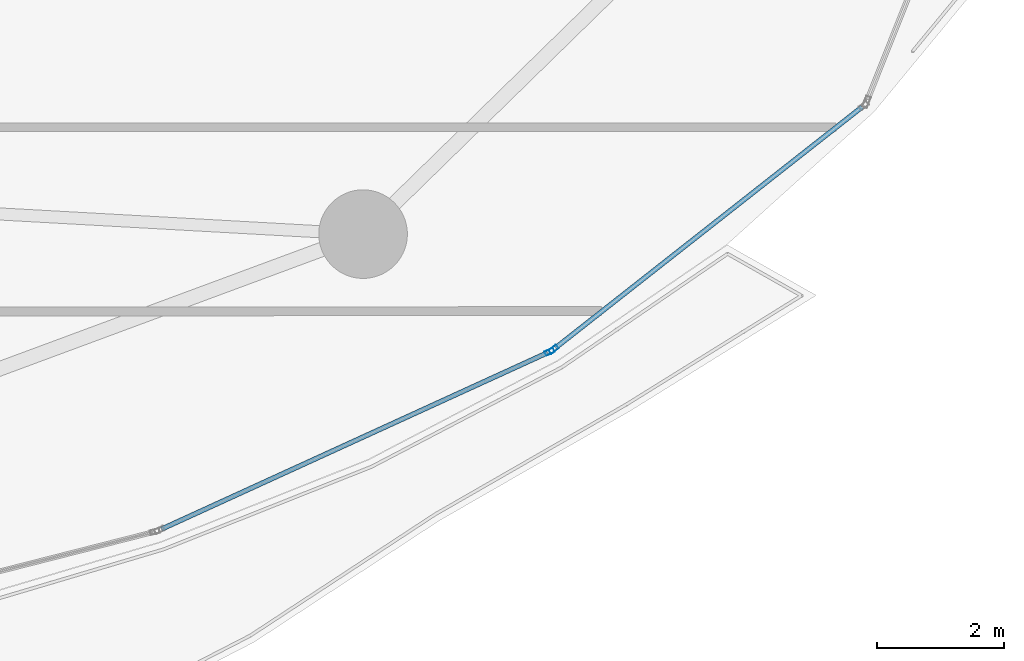
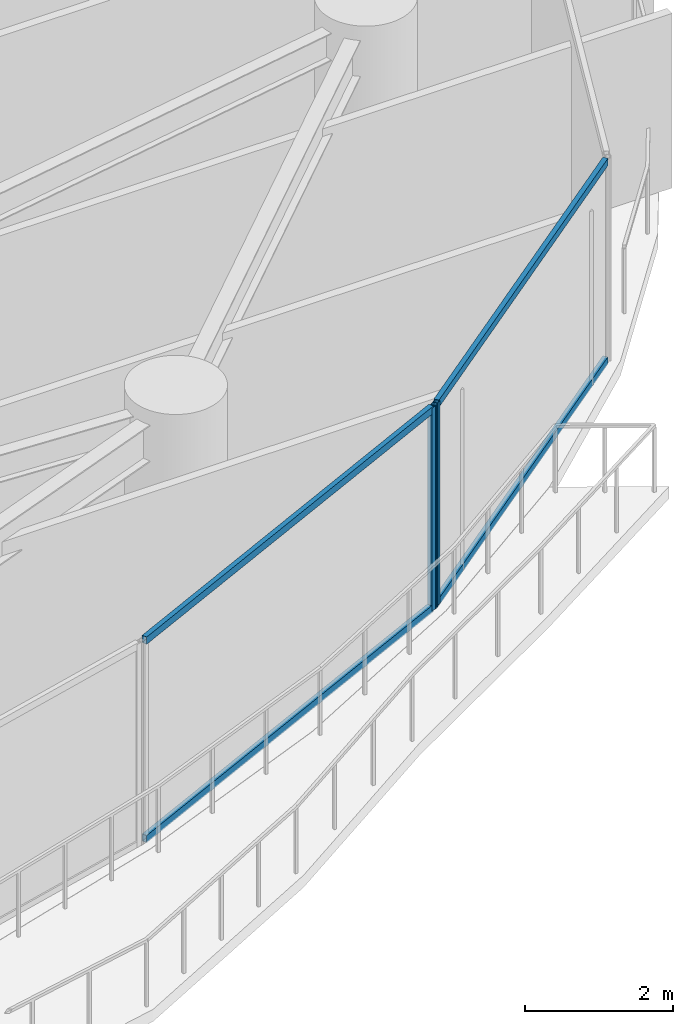
# One storey, part 14 of 32: 6 members, 2 elements without a shape of their own.
"""IFC4 building model written with IfcOpenShell, lengths in metres."""

import ifcopenshell
import ifcopenshell.guid

model = None  # the IFC model being written
_history = None  # IfcOwnerHistory: only IFC2X3 demands one
_inside = {}  # id of a spatial element -> (the spatial element, [elements in it])
_under = {}  # id of a project, library or spatial element -> (it, [spatial elements below it])
_declared = {}  # id of a project -> (the project, [libraries it declares])
_typed = {}  # id of a type object -> (the type object, [elements of that type])
_made_of = {}  # id of a material, layer set ... -> (it, [elements and type objects made of it])


def new_model(schema):
    """Start an empty IFC model of exactly this schema.

    Asked for "IFC4X3", IfcOpenShell would pick the latest addendum, in which some entities
    have other attributes; the version numbers below select the first issue.
    IFC2X3 requires an IfcOwnerHistory on every rooted entity: one is made here for all.
    """
    global model, _history
    if schema == "IFC4X3":
        model = ifcopenshell.file(schema_version=(4, 3, 0, 0))
    else:
        model = ifcopenshell.file(schema=schema)
    _inside.clear()
    _under.clear()
    _declared.clear()
    _typed.clear()
    _made_of.clear()
    _history = None
    if model.schema == "IFC2X3":
        org = make("IfcOrganization", Name="unknown")
        user = make(
            "IfcPersonAndOrganization",
            ThePerson=make("IfcPerson", FamilyName="unknown"),
            TheOrganization=org,
        )
        app = make(
            "IfcApplication",
            ApplicationDeveloper=org,
            Version="unknown",
            ApplicationFullName="unknown",
            ApplicationIdentifier="unknown",
        )
        _history = make(
            "IfcOwnerHistory",
            OwningUser=user,
            OwningApplication=app,
            ChangeAction="ADDED",
            CreationDate=0,
        )
    return model


def make(cls, **values):
    """One entity of the class cls with the attributes given. An attribute that is None is left unset."""
    return model.create_entity(
        cls, **{name: value for name, value in values.items() if value is not None}
    )


def rooted(cls, **values):
    """An entity with a GlobalId (a new one), such as an element, a storey or a relation."""
    return make(cls, GlobalId=ifcopenshell.guid.new(), OwnerHistory=_history, **values)


def si_unit(unit_type, name, prefix=None):
    """IfcSIUnit, for example si_unit("LENGTHUNIT", "METRE", prefix="MILLI")."""
    return make("IfcSIUnit", UnitType=unit_type, Prefix=prefix, Name=name)


def assignment(units):
    """IfcUnitAssignment: the units of a project."""
    return None if units is None else make("IfcUnitAssignment", Units=units)


def point(xyz):
    """IfcCartesianPoint."""
    return None if xyz is None else make("IfcCartesianPoint", Coordinates=xyz)


def direction(xyz):
    """IfcDirection."""
    return None if xyz is None else make("IfcDirection", DirectionRatios=xyz)


def frame(location, z_axis=None, x_axis=None):
    """IfcAxis2Placement3D, a coordinate frame: its origin and axes. An axis left out is left unset."""
    return make(
        "IfcAxis2Placement3D",
        Location=point(location),
        Axis=direction(z_axis),
        RefDirection=direction(x_axis),
    )


def frame_2d(location, x_axis=None):
    """IfcAxis2Placement2D, a coordinate frame in the plane: its origin and x axis."""
    return make(
        "IfcAxis2Placement2D", Location=point(location), RefDirection=direction(x_axis)
    )


def origin():
    """The frame at (0, 0, 0) with its axes left unset."""
    return frame((0.0, 0.0, 0.0))


def origin_2d():
    """The frame at (0, 0) in the plane with its x axis left unset."""
    return frame_2d((0.0, 0.0))


def place(relative_to, where):
    """IfcLocalPlacement: puts the frame where relative to a parent placement (None: the world)."""
    return make(
        "IfcLocalPlacement", PlacementRelTo=relative_to, RelativePlacement=where
    )


def context(
    kind, dimensions, precision=None, world=None, true_north=None, identifier=None
):
    """IfcGeometricRepresentationContext, for example the 3D "Model" context."""
    return make(
        "IfcGeometricRepresentationContext",
        ContextIdentifier=identifier,
        ContextType=kind,
        CoordinateSpaceDimension=dimensions,
        Precision=precision,
        WorldCoordinateSystem=world,
        TrueNorth=true_north,
    )


def subcontext(parent, identifier, kind, view, scale=None):
    """IfcGeometricRepresentationSubContext, for example "Body" below "Model"."""
    return make(
        "IfcGeometricRepresentationSubContext",
        ContextIdentifier=identifier,
        ContextType=kind,
        ParentContext=parent,
        TargetScale=scale,
        TargetView=view,
    )


def project(units=None, contexts=None):
    """IfcProject with its units and contexts."""
    return rooted(
        "IfcProject",
        Name="project",
        RepresentationContexts=contexts,
        UnitsInContext=assignment(units),
    )


def spatial(cls, under=None, at=None, **own):
    """A site, building, storey or space (cls), placed at a placement, below another one or the project."""
    s = rooted(cls, ObjectPlacement=at, **own)
    if under is not None:
        _under.setdefault(under.id(), (under, []))[1].append(s)
    return s


def profile(cls, at=None, kind="AREA", **sizes):
    """A parametric profile (cls). Its sizes go by their IFC names, for example OverallWidth=200.0."""
    return make(cls, ProfileType=kind, Position=at, **sizes)


def hollow_rectangle(**sizes):
    """IfcRectangleHollowProfileDef."""
    return profile("IfcRectangleHollowProfileDef", **sizes)


def extrude(swept, where, along, depth):
    """IfcExtrudedAreaSolid: the profile swept, set in the frame where, extruded along a direction by depth."""
    return make(
        "IfcExtrudedAreaSolid",
        SweptArea=swept,
        Position=where,
        ExtrudedDirection=direction(along),
        Depth=depth,
    )


def shape(context_of_items, identifier, shape_type, items):
    """IfcShapeRepresentation: the items that make up one representation, for example the "Body"."""
    return make(
        "IfcShapeRepresentation",
        ContextOfItems=context_of_items,
        RepresentationIdentifier=identifier,
        RepresentationType=shape_type,
        Items=items,
    )


def material(Name=None, Category=None):
    """IfcMaterial."""
    return make("IfcMaterial", Name=Name, Category=Category)


def layer(
    of_material, thickness, ventilated=None, Name=None, Category=None, Priority=None
):
    """IfcMaterialLayer: one layer of a wall or slab, of a material (None: an air gap)."""
    return make(
        "IfcMaterialLayer",
        Material=of_material,
        LayerThickness=thickness,
        IsVentilated=ventilated,
        Name=Name,
        Category=Category,
        Priority=Priority,
    )


def layer_set(layers, Name=None):
    """IfcMaterialLayerSet."""
    return make("IfcMaterialLayerSet", MaterialLayers=layers, LayerSetName=Name)


def material_profile(
    of_material, cross_section, Name=None, Category=None, Priority=None
):
    """IfcMaterialProfile: a cross section and its material."""
    return make(
        "IfcMaterialProfile",
        Name=Name,
        Material=of_material,
        Profile=cross_section,
        Priority=Priority,
        Category=Category,
    )


def profile_set(profiles, Name=None, composite=None):
    """IfcMaterialProfileSet."""
    return make(
        "IfcMaterialProfileSet",
        Name=Name,
        MaterialProfiles=profiles,
        CompositeProfile=composite,
    )


def made_of(thing, what):
    """Note that an element or type object is made of a material, layer set ...; save() writes the relation."""
    if what is not None:
        _made_of.setdefault(what.id(), (what, []))[1].append(thing)
    return thing


def type_object(cls, material=None, **own):
    """A type object (cls), such as IfcWallType, which elements share."""
    return made_of(rooted(cls, **own), material)


def element(
    cls,
    number,
    at=None,
    inside=None,
    cuts=None,
    type_object=None,
    material=None,
    context=None,
    identifier="Body",
    shape_type=None,
    held_by="IfcProductDefinitionShape",
    body=None,
    shapes=None,
    **own,
):
    """One element of the class cls, such as IfcWall. Its Tag is "e" and its number.

    at: its placement. inside: the storey or other place that contains it. cuts: it is an
    opening in that element (IfcRelVoidsElement). A single representation is given by context,
    identifier, shape_type and body (its items); several are given by shapes. held_by: the class
    of the entity that holds the representations. save() writes the other relations.
    """
    e = rooted(cls, Tag="e%d" % number, ObjectPlacement=at, **own)
    if body is not None:
        shapes = [shape(context, identifier, shape_type, body)]
    if shapes is not None:
        e.Representation = make(held_by, Representations=shapes)
    if inside is not None:
        _inside.setdefault(inside.id(), (inside, []))[1].append(e)
    if cuts is not None:
        rooted(
            "IfcRelVoidsElement", RelatingBuildingElement=cuts, RelatedOpeningElement=e
        )
    if type_object is not None:
        _typed.setdefault(type_object.id(), (type_object, []))[1].append(e)
    return made_of(e, material)


def aggregate(whole, parts):
    """IfcRelAggregates: a whole, such as a stair, and the parts it consists of."""
    return rooted("IfcRelAggregates", RelatingObject=whole, RelatedObjects=parts)


def save(model, path):
    """Write the relations noted so far, then the file.

    IfcRelAggregates (storeys below a building ...), IfcRelContainedInSpatialStructure (elements
    in a storey), IfcRelDefinesByType, IfcRelAssociatesMaterial and IfcRelDeclares: one each for
    every whole, place, type object, material and project.
    """
    for whole, parts in _under.values():
        aggregate(whole, parts)
    for where, things in _inside.values():
        rooted(
            "IfcRelContainedInSpatialStructure",
            RelatedElements=things,
            RelatingStructure=where,
        )
    for kind, things in _typed.values():
        rooted("IfcRelDefinesByType", RelatedObjects=things, RelatingType=kind)
    for what, things in _made_of.values():
        rooted("IfcRelAssociatesMaterial", RelatedObjects=things, RelatingMaterial=what)
    for by, libraries in _declared.values():
        rooted("IfcRelDeclares", RelatingContext=by, RelatedDefinitions=libraries)
    model.write(path)


model = new_model("IFC4")

# Units and contexts
model_context = context("Model", 3, precision=1e-05, world=origin(), true_north=direction((0.0, 1.0)))
body_context = subcontext(model_context, "Body", "Model", "MODEL_VIEW")
ifc_project = project(units=[si_unit("LENGTHUNIT", "METRE"), si_unit("AREAUNIT", "SQUARE_METRE"), si_unit("VOLUMEUNIT", "CUBIC_METRE"), si_unit("PLANEANGLEUNIT", "RADIAN"), si_unit("MASSUNIT", "GRAM", prefix="KILO")], contexts=[model_context])

# Site, building, storey
site_placement = place(None, origin())
site = spatial("IfcSite", under=ifc_project, at=site_placement, CompositionType="ELEMENT")
building_placement = place(site_placement, origin())
building = spatial("IfcBuilding", under=site, at=building_placement, Name="Kazevale Care Tower and Concert Hall", CompositionType="ELEMENT")
storey_placement = place(building_placement, frame((0.0, 0.0, 24.0)))
storey = spatial("IfcBuildingStorey", under=building, at=storey_placement, Name="L05", CompositionType="ELEMENT", Elevation=24.0)

# Curtain wall, member
ifc_material_1 = material(Name="Aluminium 6063-T6 and Low-E Glass", Category="aluminium")
ifc_layer = layer(ifc_material_1, 0.179931640625)
ifc_layer_set = layer_set([ifc_layer], Name="Aluminium 6063-T6 and Low-E Glass")
curtain_wall_type = type_object("IfcCurtainWallType", Name="Sheltered Concave Balcony Curtain Wall CW-5", PredefinedType="NOTDEFINED", material=ifc_layer_set)
curtain_wall_1_placement = place(storey_placement, origin())
curtain_wall_1 = element("IfcCurtainWall", 1, at=curtain_wall_1_placement, inside=storey, type_object=curtain_wall_type, Name="cw:L05:f02", PredefinedType="NOTDEFINED")
ifc_material_2 = material(Name="Aluminium 6063-T6", Category="aluminium")
ifc_material_profile_1 = material_profile(ifc_material_2, hollow_rectangle(XDim=0.074951171875, YDim=0.14990234375, WallThickness=0.00390625, at=origin_2d()), Name="ALU75x150x4")
ifc_profile_set_1 = profile_set([ifc_material_profile_1], Name="Aluminium 6063-T6")
member_type_1 = type_object("IfcMemberType", Name="CW-5 Mullion ALU75x150x4", PredefinedType="MULLION", material=ifc_profile_set_1)
member_1_placement = place(storey_placement, frame((70.25146484375, 20.490234375, 0.0), z_axis=(0.0, 0.0, 1.0), x_axis=(0.617807548814, -0.78632934107, 0.0)))
member_1 = element("IfcMember", 2, at=member_1_placement, type_object=member_type_1, Name="CW-5 mullion 2", PredefinedType="MULLION", context=body_context, shape_type="SweptSolid", body=[
    extrude(hollow_rectangle(XDim=0.074951171875, YDim=0.14990234375, WallThickness=0.00390625, at=origin_2d()), origin(), (0.0, 0.0, 1.0), 3.360107421875),
])

curtain_wall_2_placement = place(storey_placement, origin())
curtain_wall_2 = element("IfcCurtainWall", 3, at=curtain_wall_2_placement, inside=storey, type_object=curtain_wall_type, Name="cw:L05:f03", PredefinedType="NOTDEFINED")
member_2_placement = place(storey_placement, frame((70.18798828125, 20.451416015625, 0.0), z_axis=(0.0, 0.0, 1.0), x_axis=(0.415659767773, -0.909520179795, 0.0)))
member_2 = element("IfcMember", 4, at=member_2_placement, type_object=member_type_1, Name="CW-5 mullion 1", PredefinedType="MULLION", context=body_context, shape_type="SweptSolid", body=[
    extrude(hollow_rectangle(XDim=0.074951171875, YDim=0.14990234375, WallThickness=0.00390625, at=origin_2d()), origin(), (0.0, 0.0, 1.0), 3.360107421875),
])

# Member
ifc_material_profile_2 = material_profile(ifc_material_2, hollow_rectangle(XDim=0.074951171875, YDim=0.1201171875, WallThickness=0.00390625, at=origin_2d()), Name="ALU75x120x4")
ifc_profile_set_2 = profile_set([ifc_material_profile_2], Name="Aluminium 6063-T6")
member_type_2 = type_object("IfcMemberType", Name="CW-5 Transom ALU75x120x4", PredefinedType="USERDEFINED", material=ifc_profile_set_2)
member_3_placement = place(storey_placement, frame((75.123046875, 24.317626953125, 0.03759765625), z_axis=(-0.78633897536, -0.617795286344, 0.0), x_axis=(0.617795286344, -0.78633897536, 0.0)))
member_3 = element("IfcMember", 5, at=member_3_placement, type_object=member_type_2, Name="CW-5 transom 1.1", ObjectType="TRANSOM", PredefinedType="USERDEFINED", context=body_context, shape_type="SweptSolid", body=[
    extrude(hollow_rectangle(XDim=0.074951171875, YDim=0.1201171875, WallThickness=0.00390625, at=origin_2d()), origin(), (0.0, 0.0, 1.0), 6.15771484375),
])

member_4_placement = place(storey_placement, frame((75.123046875, 24.317626953125, 3.322509765625), z_axis=(-0.78633897536, -0.617795286344, 0.0), x_axis=(0.617795286344, -0.78633897536, 0.0)))
member_4 = element("IfcMember", 6, at=member_4_placement, type_object=member_type_2, Name="CW-5 transom 1.2", ObjectType="TRANSOM", PredefinedType="USERDEFINED", context=body_context, shape_type="SweptSolid", body=[
    extrude(hollow_rectangle(XDim=0.074951171875, YDim=0.1201171875, WallThickness=0.00390625, at=origin_2d()), origin(), (0.0, 0.0, 1.0), 6.15771484375),
])

aggregate(curtain_wall_1, [member_1, member_3, member_4])

member_5_placement = place(storey_placement, frame((70.15380859375, 20.435791015625, 0.03759765625), z_axis=(-0.909524040017, -0.415651320978, 0.0), x_axis=(0.415651320978, -0.909524040017, 0.0)))
member_5 = element("IfcMember", 7, at=member_5_placement, type_object=member_type_2, Name="CW-5 transom 1.1", ObjectType="TRANSOM", PredefinedType="USERDEFINED", context=body_context, shape_type="SweptSolid", body=[
    extrude(hollow_rectangle(XDim=0.074951171875, YDim=0.1201171875, WallThickness=0.00390625, at=origin_2d()), origin(), (0.0, 0.0, 1.0), 6.704345703125),
])

member_6_placement = place(storey_placement, frame((70.15380859375, 20.435791015625, 3.322509765625), z_axis=(-0.909524040017, -0.415651320978, 0.0), x_axis=(0.415651320978, -0.909524040017, 0.0)))
member_6 = element("IfcMember", 8, at=member_6_placement, type_object=member_type_2, Name="CW-5 transom 1.2", ObjectType="TRANSOM", PredefinedType="USERDEFINED", context=body_context, shape_type="SweptSolid", body=[
    extrude(hollow_rectangle(XDim=0.074951171875, YDim=0.1201171875, WallThickness=0.00390625, at=origin_2d()), origin(), (0.0, 0.0, 1.0), 6.704345703125),
])

aggregate(curtain_wall_2, [member_2, member_5, member_6])

save(model, "model.ifc")
